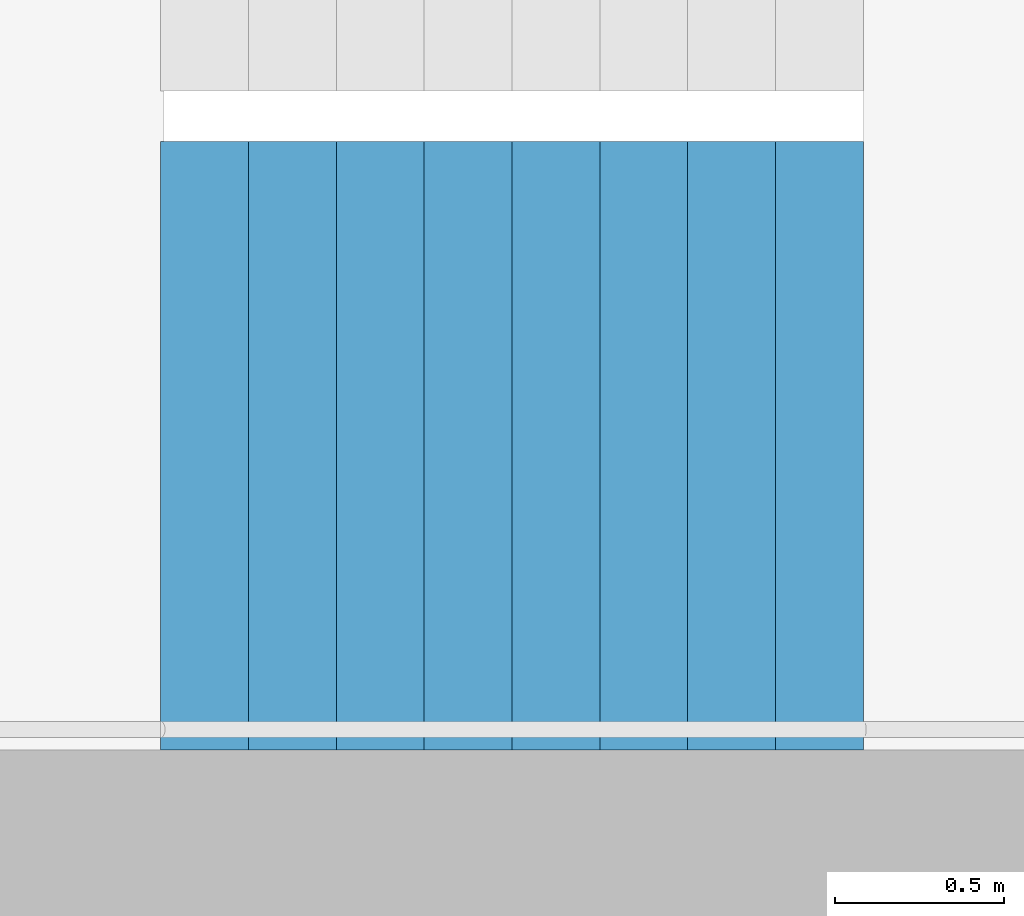
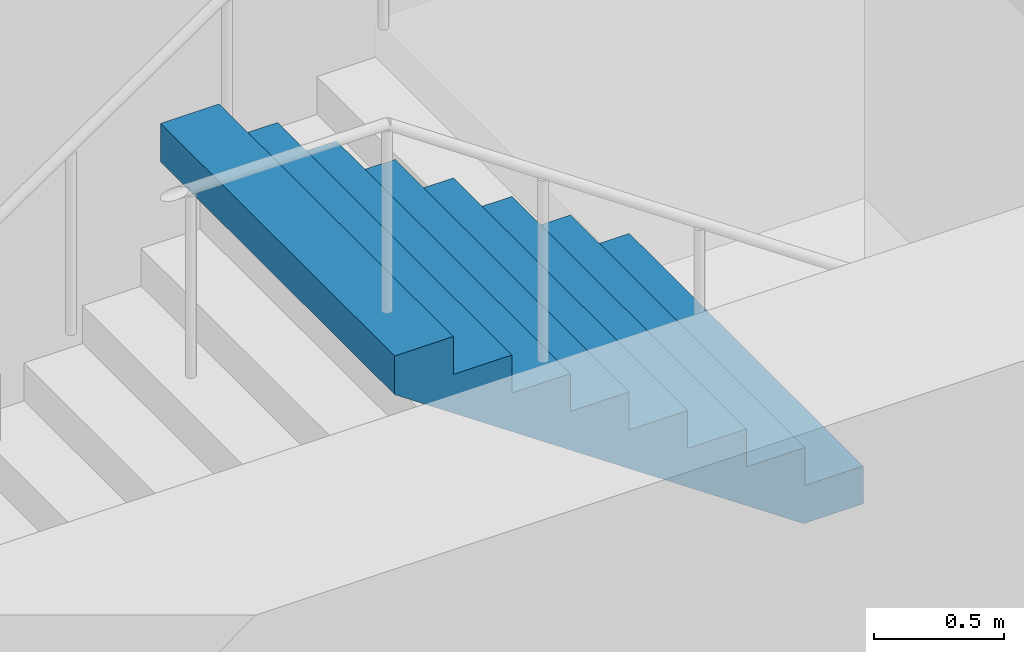
# One storey, part 22 of 26: 1 stair flight, 1 element without a shape of its own.
"""IFC4 building model written with IfcOpenShell, lengths in metres."""

from ifc_helpers import new_model, si_unit, direction, frame, origin, place, context, subcontext, project, spatial, triangles, material, type_object, element, aggregate, save


model = new_model("IFC4")

# Units and contexts
model_context = context("Model", 3, precision=1e-05, world=origin(), true_north=direction((0.0, 1.0)))
body_context = subcontext(model_context, "Body", "Model", "MODEL_VIEW")
ifc_project = project(units=[si_unit("LENGTHUNIT", "METRE"), si_unit("AREAUNIT", "SQUARE_METRE"), si_unit("VOLUMEUNIT", "CUBIC_METRE"), si_unit("PLANEANGLEUNIT", "RADIAN"), si_unit("MASSUNIT", "GRAM", prefix="KILO")], contexts=[model_context])

# Site, building, storey
site_placement = place(None, origin())
site = spatial("IfcSite", under=ifc_project, at=site_placement, CompositionType="ELEMENT")
building_placement = place(site_placement, origin())
building = spatial("IfcBuilding", under=site, at=building_placement, Name="Hakoniwa Tower and Hamabe Station Hall", CompositionType="ELEMENT")
storey_placement = place(building_placement, frame((0.0, 0.0, 131.0)))
storey = spatial("IfcBuildingStorey", under=building, at=storey_placement, Name="L36", CompositionType="ELEMENT", Elevation=131.0)

# Stair, stair flight
ifc_material_1 = material(Name="Concrete C40", Category="concrete")
stair_type = type_object("IfcStairType", Name="ESCAPE STAIR 1800", PredefinedType="HALF_TURN_STAIR", material=ifc_material_1)
stair_placement = place(storey_placement, origin())
stair = element("IfcStair", 1, at=stair_placement, inside=storey, type_object=stair_type, Name="Escape stair ST-4 L36", PredefinedType="HALF_TURN_STAIR")
ifc_material_2 = material(Name="Concrete C40", Category="concrete")
stair_flight_type = type_object("IfcStairFlightType", Name="STAIR FLIGHT 1800", PredefinedType="STRAIGHT", material=ifc_material_2)
stair_flight_placement = place(storey_placement, frame((25.47998046875, -6.60009765625, 1.60009765625), z_axis=(0.0, 0.0, 1.0), x_axis=(-1.0, 0.0, 0.0)))
stair_flight = element("IfcStairFlight", 2, at=stair_flight_placement, type_object=stair_flight_type, Name="ST-4 flight 2", NumberOfRisers=9, NumberOfTreads=8, PredefinedType="STRAIGHT", RiserHeight=0.177777778, TreadLength=0.26, context=body_context, shape_type="Tessellation", body=[
    triangles([(0.0, 0.89990234375, 0.0), (0.260009765625, 0.89990234375, 0.0), (0.265625, 0.89990234375, 0.0), (0.52001953125, 0.89990234375, 0.174072265625), (0.780029296875, 0.89990234375, 0.351806640625), (1.0400390625, 0.89990234375, 0.529541015625), (1.300048828125, 0.89990234375, 0.707275390625), (1.56005859375, 0.89990234375, 0.885009765625), (1.820068359375, 0.89990234375, 1.062744140625), (2.080078125, 0.89990234375, 1.24072265625), (2.080078125, 0.89990234375, 1.422119140625), (1.820068359375, 0.89990234375, 1.422119140625), (1.820068359375, 0.89990234375, 1.244384765625), (1.56005859375, 0.89990234375, 1.244384765625), (1.56005859375, 0.89990234375, 1.066650390625), (1.300048828125, 0.89990234375, 1.066650390625), (1.300048828125, 0.89990234375, 0.888916015625), (1.0400390625, 0.89990234375, 0.888916015625), (1.0400390625, 0.89990234375, 0.711181640625), (0.780029296875, 0.89990234375, 0.711181640625), (0.780029296875, 0.89990234375, 0.533447265625), (0.52001953125, 0.89990234375, 0.533447265625), (0.52001953125, 0.89990234375, 0.35546875), (0.265625, 0.89990234375, 0.35546875), (0.260009765625, 0.89990234375, 0.35546875), (0.260009765625, 0.89990234375, 0.177734375), (0.0, 0.89990234375, 0.177734375), (0.0, 0.06005859375, 0.0), (0.260009765625, 0.06005859375, 0.0), (0.265625, 0.06005859375, 0.0), (0.52001953125, 0.06005859375, 0.174072265625), (0.780029296875, 0.06005859375, 0.351806640625), (1.0400390625, 0.06005859375, 0.529541015625), (1.300048828125, 0.06005859375, 0.707275390625), (1.56005859375, 0.06005859375, 0.885009765625), (1.820068359375, 0.06005859375, 1.062744140625), (2.080078125, 0.06005859375, 1.24072265625), (2.080078125, 0.06005859375, 1.422119140625), (1.820068359375, 0.06005859375, 1.422119140625), (1.820068359375, 0.06005859375, 1.244384765625), (1.56005859375, 0.06005859375, 1.244384765625), (1.56005859375, 0.06005859375, 1.066650390625), (1.300048828125, 0.06005859375, 1.066650390625), (1.300048828125, 0.06005859375, 0.888916015625), (1.0400390625, 0.06005859375, 0.888916015625), (1.0400390625, 0.06005859375, 0.711181640625), (0.780029296875, 0.06005859375, 0.711181640625), (0.780029296875, 0.06005859375, 0.533447265625), (0.52001953125, 0.06005859375, 0.533447265625), (0.52001953125, 0.06005859375, 0.35546875), (0.265625, 0.06005859375, 0.35546875), (0.260009765625, 0.06005859375, 0.35546875), (0.260009765625, 0.06005859375, 0.177734375), (0.0, 0.06005859375, 0.177734375), (0.0, 0.04296875, 0.0), (0.260009765625, 0.04296875, 0.0), (0.265625, 0.04296875, 0.0), (0.52001953125, 0.04296875, 0.174072265625), (0.780029296875, 0.04296875, 0.351806640625), (1.0400390625, 0.04296875, 0.529541015625), (1.300048828125, 0.04296875, 0.707275390625), (1.56005859375, 0.04296875, 0.885009765625), (1.820068359375, 0.04296875, 1.062744140625), (2.080078125, 0.04296875, 1.24072265625), (2.080078125, 0.04296875, 1.422119140625), (1.820068359375, 0.04296875, 1.422119140625), (1.820068359375, 0.04296875, 1.244384765625), (1.56005859375, 0.04296875, 1.244384765625), (1.56005859375, 0.04296875, 1.066650390625), (1.300048828125, 0.04296875, 1.066650390625), (1.300048828125, 0.04296875, 0.888916015625), (1.0400390625, 0.04296875, 0.888916015625), (1.0400390625, 0.04296875, 0.711181640625), (0.780029296875, 0.04296875, 0.711181640625), (0.780029296875, 0.04296875, 0.533447265625), (0.52001953125, 0.04296875, 0.533447265625), (0.52001953125, 0.04296875, 0.35546875), (0.265625, 0.04296875, 0.35546875), (0.260009765625, 0.04296875, 0.35546875), (0.260009765625, 0.04296875, 0.177734375), (0.0, 0.04296875, 0.177734375), (0.0, 0.025634765625, 0.0), (0.260009765625, 0.025634765625, 0.0), (0.265625, 0.025634765625, 0.0), (0.52001953125, 0.025634765625, 0.174072265625), (0.780029296875, 0.025634765625, 0.351806640625), (1.0400390625, 0.025634765625, 0.529541015625), (1.300048828125, 0.025634765625, 0.707275390625), (1.56005859375, 0.025634765625, 0.885009765625), (1.820068359375, 0.025634765625, 1.062744140625), (2.080078125, 0.025634765625, 1.24072265625), (2.080078125, 0.025634765625, 1.422119140625), (1.820068359375, 0.025634765625, 1.422119140625), (1.820068359375, 0.025634765625, 1.244384765625), (1.56005859375, 0.025634765625, 1.244384765625), (1.56005859375, 0.025634765625, 1.066650390625), (1.300048828125, 0.025634765625, 1.066650390625), (1.300048828125, 0.025634765625, 0.888916015625), (1.0400390625, 0.025634765625, 0.888916015625), (1.0400390625, 0.025634765625, 0.711181640625), (0.780029296875, 0.025634765625, 0.711181640625), (0.780029296875, 0.025634765625, 0.533447265625), (0.52001953125, 0.025634765625, 0.533447265625), (0.52001953125, 0.025634765625, 0.35546875), (0.265625, 0.025634765625, 0.35546875), (0.260009765625, 0.025634765625, 0.35546875), (0.260009765625, 0.025634765625, 0.177734375), (0.0, 0.025634765625, 0.177734375), (0.0, 0.008544921875, 0.0), (0.260009765625, 0.008544921875, 0.0), (0.265625, 0.008544921875, 0.0), (0.52001953125, 0.008544921875, 0.174072265625), (0.780029296875, 0.008544921875, 0.351806640625), (1.0400390625, 0.008544921875, 0.529541015625), (1.300048828125, 0.008544921875, 0.707275390625), (1.56005859375, 0.008544921875, 0.885009765625), (1.820068359375, 0.008544921875, 1.062744140625), (2.080078125, 0.008544921875, 1.24072265625), (2.080078125, 0.008544921875, 1.422119140625), (1.820068359375, 0.008544921875, 1.422119140625), (1.820068359375, 0.008544921875, 1.244384765625), (1.56005859375, 0.008544921875, 1.244384765625), (1.56005859375, 0.008544921875, 1.066650390625), (1.300048828125, 0.008544921875, 1.066650390625), (1.300048828125, 0.008544921875, 0.888916015625), (1.0400390625, 0.008544921875, 0.888916015625), (1.0400390625, 0.008544921875, 0.711181640625), (0.780029296875, 0.008544921875, 0.711181640625), (0.780029296875, 0.008544921875, 0.533447265625), (0.52001953125, 0.008544921875, 0.533447265625), (0.52001953125, 0.008544921875, 0.35546875), (0.265625, 0.008544921875, 0.35546875), (0.260009765625, 0.008544921875, 0.35546875), (0.260009765625, 0.008544921875, 0.177734375), (0.0, 0.008544921875, 0.177734375), (0.0, -0.008544921875, 0.0), (0.260009765625, -0.008544921875, 0.0), (0.265625, -0.008544921875, 0.0), (0.52001953125, -0.008544921875, 0.174072265625), (0.780029296875, -0.008544921875, 0.351806640625), (1.0400390625, -0.008544921875, 0.529541015625), (1.300048828125, -0.008544921875, 0.707275390625), (1.56005859375, -0.008544921875, 0.885009765625), (1.820068359375, -0.008544921875, 1.062744140625), (2.080078125, -0.008544921875, 1.24072265625), (2.080078125, -0.008544921875, 1.422119140625), (1.820068359375, -0.008544921875, 1.422119140625), (1.820068359375, -0.008544921875, 1.244384765625), (1.56005859375, -0.008544921875, 1.244384765625), (1.56005859375, -0.008544921875, 1.066650390625), (1.300048828125, -0.008544921875, 1.066650390625), (1.300048828125, -0.008544921875, 0.888916015625), (1.0400390625, -0.008544921875, 0.888916015625), (1.0400390625, -0.008544921875, 0.711181640625), (0.780029296875, -0.008544921875, 0.711181640625), (0.780029296875, -0.008544921875, 0.533447265625), (0.52001953125, -0.008544921875, 0.533447265625), (0.52001953125, -0.008544921875, 0.35546875), (0.265625, -0.008544921875, 0.35546875), (0.260009765625, -0.008544921875, 0.35546875), (0.260009765625, -0.008544921875, 0.177734375), (0.0, -0.008544921875, 0.177734375), (0.0, -0.025634765625, 0.0), (0.260009765625, -0.025634765625, 0.0), (0.265625, -0.025634765625, 0.0), (0.52001953125, -0.025634765625, 0.174072265625), (0.780029296875, -0.025634765625, 0.351806640625), (1.0400390625, -0.025634765625, 0.529541015625), (1.300048828125, -0.025634765625, 0.707275390625), (1.56005859375, -0.025634765625, 0.885009765625), (1.820068359375, -0.025634765625, 1.062744140625), (2.080078125, -0.025634765625, 1.24072265625), (2.080078125, -0.025634765625, 1.422119140625), (1.820068359375, -0.025634765625, 1.422119140625), (1.820068359375, -0.025634765625, 1.244384765625), (1.56005859375, -0.025634765625, 1.244384765625), (1.56005859375, -0.025634765625, 1.066650390625), (1.300048828125, -0.025634765625, 1.066650390625), (1.300048828125, -0.025634765625, 0.888916015625), (1.0400390625, -0.025634765625, 0.888916015625), (1.0400390625, -0.025634765625, 0.711181640625), (0.780029296875, -0.025634765625, 0.711181640625), (0.780029296875, -0.025634765625, 0.533447265625), (0.52001953125, -0.025634765625, 0.533447265625), (0.52001953125, -0.025634765625, 0.35546875), (0.265625, -0.025634765625, 0.35546875), (0.260009765625, -0.025634765625, 0.35546875), (0.260009765625, -0.025634765625, 0.177734375), (0.0, -0.025634765625, 0.177734375), (0.0, -0.04296875, 0.0), (0.260009765625, -0.04296875, 0.0), (0.265625, -0.04296875, 0.0), (0.52001953125, -0.04296875, 0.174072265625), (0.780029296875, -0.04296875, 0.351806640625), (1.0400390625, -0.04296875, 0.529541015625), (1.300048828125, -0.04296875, 0.707275390625), (1.56005859375, -0.04296875, 0.885009765625), (1.820068359375, -0.04296875, 1.062744140625), (2.080078125, -0.04296875, 1.24072265625), (2.080078125, -0.04296875, 1.422119140625), (1.820068359375, -0.04296875, 1.422119140625), (1.820068359375, -0.04296875, 1.244384765625), (1.56005859375, -0.04296875, 1.244384765625), (1.56005859375, -0.04296875, 1.066650390625), (1.300048828125, -0.04296875, 1.066650390625), (1.300048828125, -0.04296875, 0.888916015625), (1.0400390625, -0.04296875, 0.888916015625), (1.0400390625, -0.04296875, 0.711181640625), (0.780029296875, -0.04296875, 0.711181640625), (0.780029296875, -0.04296875, 0.533447265625), (0.52001953125, -0.04296875, 0.533447265625), (0.52001953125, -0.04296875, 0.35546875), (0.265625, -0.04296875, 0.35546875), (0.260009765625, -0.04296875, 0.35546875), (0.260009765625, -0.04296875, 0.177734375), (0.0, -0.04296875, 0.177734375), (0.0, -0.06005859375, 0.0), (0.260009765625, -0.06005859375, 0.0), (0.265625, -0.06005859375, 0.0), (0.52001953125, -0.06005859375, 0.174072265625), (0.780029296875, -0.06005859375, 0.351806640625), (1.0400390625, -0.06005859375, 0.529541015625), (1.300048828125, -0.06005859375, 0.707275390625), (1.56005859375, -0.06005859375, 0.885009765625), (1.820068359375, -0.06005859375, 1.062744140625), (2.080078125, -0.06005859375, 1.24072265625), (2.080078125, -0.06005859375, 1.422119140625), (1.820068359375, -0.06005859375, 1.422119140625), (1.820068359375, -0.06005859375, 1.244384765625), (1.56005859375, -0.06005859375, 1.244384765625), (1.56005859375, -0.06005859375, 1.066650390625), (1.300048828125, -0.06005859375, 1.066650390625), (1.300048828125, -0.06005859375, 0.888916015625), (1.0400390625, -0.06005859375, 0.888916015625), (1.0400390625, -0.06005859375, 0.711181640625), (0.780029296875, -0.06005859375, 0.711181640625), (0.780029296875, -0.06005859375, 0.533447265625), (0.52001953125, -0.06005859375, 0.533447265625), (0.52001953125, -0.06005859375, 0.35546875), (0.265625, -0.06005859375, 0.35546875), (0.260009765625, -0.06005859375, 0.35546875), (0.260009765625, -0.06005859375, 0.177734375), (0.0, -0.06005859375, 0.177734375), (0.0, -0.89990234375, 0.0), (0.260009765625, -0.89990234375, 0.0), (0.265625, -0.89990234375, 0.0), (0.52001953125, -0.89990234375, 0.174072265625), (0.780029296875, -0.89990234375, 0.351806640625), (1.0400390625, -0.89990234375, 0.529541015625), (1.300048828125, -0.89990234375, 0.707275390625), (1.56005859375, -0.89990234375, 0.885009765625), (1.820068359375, -0.89990234375, 1.062744140625), (2.080078125, -0.89990234375, 1.24072265625), (2.080078125, -0.89990234375, 1.422119140625), (1.820068359375, -0.89990234375, 1.422119140625), (1.820068359375, -0.89990234375, 1.244384765625), (1.56005859375, -0.89990234375, 1.244384765625), (1.56005859375, -0.89990234375, 1.066650390625), (1.300048828125, -0.89990234375, 1.066650390625), (1.300048828125, -0.89990234375, 0.888916015625), (1.0400390625, -0.89990234375, 0.888916015625), (1.0400390625, -0.89990234375, 0.711181640625), (0.780029296875, -0.89990234375, 0.711181640625), (0.780029296875, -0.89990234375, 0.533447265625), (0.52001953125, -0.89990234375, 0.533447265625), (0.52001953125, -0.89990234375, 0.35546875), (0.265625, -0.89990234375, 0.35546875), (0.260009765625, -0.89990234375, 0.35546875), (0.260009765625, -0.89990234375, 0.177734375), (0.0, -0.89990234375, 0.177734375)], [[2, 27, 26], [245, 269, 270], [2, 1, 27], [245, 270, 244], [3, 25, 24], [246, 267, 268], [3, 26, 25], [246, 268, 269], [3, 2, 26], [246, 269, 245], [4, 24, 23], [247, 266, 267], [4, 3, 24], [247, 267, 246], [5, 22, 21], [248, 264, 265], [5, 23, 22], [248, 265, 266], [5, 4, 23], [248, 266, 247], [6, 20, 19], [249, 262, 263], [6, 21, 20], [249, 263, 264], [6, 5, 21], [249, 264, 248], [7, 18, 17], [250, 260, 261], [7, 19, 18], [250, 261, 262], [7, 6, 19], [250, 262, 249], [8, 16, 15], [251, 258, 259], [8, 17, 16], [251, 259, 260], [8, 7, 17], [251, 260, 250], [9, 14, 13], [252, 256, 257], [9, 15, 14], [252, 257, 258], [9, 8, 15], [252, 258, 251], [10, 12, 11], [253, 254, 255], [10, 13, 12], [253, 255, 256], [10, 9, 13], [253, 256, 252], [1, 2, 29], [1, 29, 28], [28, 29, 56], [28, 56, 55], [55, 56, 83], [55, 83, 82], [82, 83, 110], [82, 110, 109], [109, 110, 137], [109, 137, 136], [136, 137, 164], [136, 164, 163], [163, 164, 191], [163, 191, 190], [190, 191, 218], [190, 218, 217], [217, 218, 245], [217, 245, 244], [2, 3, 30], [2, 30, 29], [29, 30, 57], [29, 57, 56], [56, 57, 84], [56, 84, 83], [83, 84, 111], [83, 111, 110], [110, 111, 138], [110, 138, 137], [137, 138, 165], [137, 165, 164], [164, 165, 192], [164, 192, 191], [191, 192, 219], [191, 219, 218], [218, 219, 246], [218, 246, 245], [3, 4, 31], [3, 31, 30], [30, 31, 58], [30, 58, 57], [57, 58, 85], [57, 85, 84], [84, 85, 112], [84, 112, 111], [111, 112, 139], [111, 139, 138], [138, 139, 166], [138, 166, 165], [165, 166, 193], [165, 193, 192], [192, 193, 220], [192, 220, 219], [219, 220, 247], [219, 247, 246], [4, 5, 32], [4, 32, 31], [31, 32, 59], [31, 59, 58], [58, 59, 86], [58, 86, 85], [85, 86, 113], [85, 113, 112], [112, 113, 140], [112, 140, 139], [139, 140, 167], [139, 167, 166], [166, 167, 194], [166, 194, 193], [193, 194, 221], [193, 221, 220], [220, 221, 248], [220, 248, 247], [5, 6, 33], [5, 33, 32], [32, 33, 60], [32, 60, 59], [59, 60, 87], [59, 87, 86], [86, 87, 114], [86, 114, 113], [113, 114, 141], [113, 141, 140], [140, 141, 168], [140, 168, 167], [167, 168, 195], [167, 195, 194], [194, 195, 222], [194, 222, 221], [221, 222, 249], [221, 249, 248], [6, 7, 34], [6, 34, 33], [33, 34, 61], [33, 61, 60], [60, 61, 88], [60, 88, 87], [87, 88, 115], [87, 115, 114], [114, 115, 142], [114, 142, 141], [141, 142, 169], [141, 169, 168], [168, 169, 196], [168, 196, 195], [195, 196, 223], [195, 223, 222], [222, 223, 250], [222, 250, 249], [7, 8, 35], [7, 35, 34], [34, 35, 62], [34, 62, 61], [61, 62, 89], [61, 89, 88], [88, 89, 116], [88, 116, 115], [115, 116, 143], [115, 143, 142], [142, 143, 170], [142, 170, 169], [169, 170, 197], [169, 197, 196], [196, 197, 224], [196, 224, 223], [223, 224, 251], [223, 251, 250], [8, 9, 36], [8, 36, 35], [35, 36, 63], [35, 63, 62], [62, 63, 90], [62, 90, 89], [89, 90, 117], [89, 117, 116], [116, 117, 144], [116, 144, 143], [143, 144, 171], [143, 171, 170], [170, 171, 198], [170, 198, 197], [197, 198, 225], [197, 225, 224], [224, 225, 252], [224, 252, 251], [9, 10, 37], [9, 37, 36], [36, 37, 64], [36, 64, 63], [63, 64, 91], [63, 91, 90], [90, 91, 118], [90, 118, 117], [117, 118, 145], [117, 145, 144], [144, 145, 172], [144, 172, 171], [171, 172, 199], [171, 199, 198], [198, 199, 226], [198, 226, 225], [225, 226, 253], [225, 253, 252], [10, 11, 38], [10, 38, 37], [37, 38, 65], [37, 65, 64], [64, 65, 92], [64, 92, 91], [91, 92, 119], [91, 119, 118], [118, 119, 146], [118, 146, 145], [145, 146, 173], [145, 173, 172], [172, 173, 200], [172, 200, 199], [199, 200, 227], [199, 227, 226], [226, 227, 254], [226, 254, 253], [11, 12, 39], [11, 39, 38], [38, 39, 66], [38, 66, 65], [65, 66, 93], [65, 93, 92], [92, 93, 120], [92, 120, 119], [119, 120, 147], [119, 147, 146], [146, 147, 174], [146, 174, 173], [173, 174, 201], [173, 201, 200], [200, 201, 228], [200, 228, 227], [227, 228, 255], [227, 255, 254], [12, 13, 40], [12, 40, 39], [39, 40, 67], [39, 67, 66], [66, 67, 94], [66, 94, 93], [93, 94, 121], [93, 121, 120], [120, 121, 148], [120, 148, 147], [147, 148, 175], [147, 175, 174], [174, 175, 202], [174, 202, 201], [201, 202, 229], [201, 229, 228], [228, 229, 256], [228, 256, 255], [13, 14, 41], [13, 41, 40], [40, 41, 68], [40, 68, 67], [67, 68, 95], [67, 95, 94], [94, 95, 122], [94, 122, 121], [121, 122, 149], [121, 149, 148], [148, 149, 176], [148, 176, 175], [175, 176, 203], [175, 203, 202], [202, 203, 230], [202, 230, 229], [229, 230, 257], [229, 257, 256], [14, 15, 42], [14, 42, 41], [41, 42, 69], [41, 69, 68], [68, 69, 96], [68, 96, 95], [95, 96, 123], [95, 123, 122], [122, 123, 150], [122, 150, 149], [149, 150, 177], [149, 177, 176], [176, 177, 204], [176, 204, 203], [203, 204, 231], [203, 231, 230], [230, 231, 258], [230, 258, 257], [15, 16, 43], [15, 43, 42], [42, 43, 70], [42, 70, 69], [69, 70, 97], [69, 97, 96], [96, 97, 124], [96, 124, 123], [123, 124, 151], [123, 151, 150], [150, 151, 178], [150, 178, 177], [177, 178, 205], [177, 205, 204], [204, 205, 232], [204, 232, 231], [231, 232, 259], [231, 259, 258], [16, 17, 44], [16, 44, 43], [43, 44, 71], [43, 71, 70], [70, 71, 98], [70, 98, 97], [97, 98, 125], [97, 125, 124], [124, 125, 152], [124, 152, 151], [151, 152, 179], [151, 179, 178], [178, 179, 206], [178, 206, 205], [205, 206, 233], [205, 233, 232], [232, 233, 260], [232, 260, 259], [17, 18, 45], [17, 45, 44], [44, 45, 72], [44, 72, 71], [71, 72, 99], [71, 99, 98], [98, 99, 126], [98, 126, 125], [125, 126, 153], [125, 153, 152], [152, 153, 180], [152, 180, 179], [179, 180, 207], [179, 207, 206], [206, 207, 234], [206, 234, 233], [233, 234, 261], [233, 261, 260], [18, 19, 46], [18, 46, 45], [45, 46, 73], [45, 73, 72], [72, 73, 100], [72, 100, 99], [99, 100, 127], [99, 127, 126], [126, 127, 154], [126, 154, 153], [153, 154, 181], [153, 181, 180], [180, 181, 208], [180, 208, 207], [207, 208, 235], [207, 235, 234], [234, 235, 262], [234, 262, 261], [19, 20, 47], [19, 47, 46], [46, 47, 74], [46, 74, 73], [73, 74, 101], [73, 101, 100], [100, 101, 128], [100, 128, 127], [127, 128, 155], [127, 155, 154], [154, 155, 182], [154, 182, 181], [181, 182, 209], [181, 209, 208], [208, 209, 236], [208, 236, 235], [235, 236, 263], [235, 263, 262], [20, 21, 48], [20, 48, 47], [47, 48, 75], [47, 75, 74], [74, 75, 102], [74, 102, 101], [101, 102, 129], [101, 129, 128], [128, 129, 156], [128, 156, 155], [155, 156, 183], [155, 183, 182], [182, 183, 210], [182, 210, 209], [209, 210, 237], [209, 237, 236], [236, 237, 264], [236, 264, 263], [21, 22, 49], [21, 49, 48], [48, 49, 76], [48, 76, 75], [75, 76, 103], [75, 103, 102], [102, 103, 130], [102, 130, 129], [129, 130, 157], [129, 157, 156], [156, 157, 184], [156, 184, 183], [183, 184, 211], [183, 211, 210], [210, 211, 238], [210, 238, 237], [237, 238, 265], [237, 265, 264], [22, 23, 50], [22, 50, 49], [49, 50, 77], [49, 77, 76], [76, 77, 104], [76, 104, 103], [103, 104, 131], [103, 131, 130], [130, 131, 158], [130, 158, 157], [157, 158, 185], [157, 185, 184], [184, 185, 212], [184, 212, 211], [211, 212, 239], [211, 239, 238], [238, 239, 266], [238, 266, 265], [23, 24, 51], [23, 51, 50], [50, 51, 78], [50, 78, 77], [77, 78, 105], [77, 105, 104], [104, 105, 132], [104, 132, 131], [131, 132, 159], [131, 159, 158], [158, 159, 186], [158, 186, 185], [185, 186, 213], [185, 213, 212], [212, 213, 240], [212, 240, 239], [239, 240, 267], [239, 267, 266], [24, 25, 52], [24, 52, 51], [51, 52, 79], [51, 79, 78], [78, 79, 106], [78, 106, 105], [105, 106, 133], [105, 133, 132], [132, 133, 160], [132, 160, 159], [159, 160, 187], [159, 187, 186], [186, 187, 214], [186, 214, 213], [213, 214, 241], [213, 241, 240], [240, 241, 268], [240, 268, 267], [25, 26, 53], [25, 53, 52], [52, 53, 80], [52, 80, 79], [79, 80, 107], [79, 107, 106], [106, 107, 134], [106, 134, 133], [133, 134, 161], [133, 161, 160], [160, 161, 188], [160, 188, 187], [187, 188, 215], [187, 215, 214], [214, 215, 242], [214, 242, 241], [241, 242, 269], [241, 269, 268], [26, 27, 54], [26, 54, 53], [53, 54, 81], [53, 81, 80], [80, 81, 108], [80, 108, 107], [107, 108, 135], [107, 135, 134], [134, 135, 162], [134, 162, 161], [161, 162, 189], [161, 189, 188], [188, 189, 216], [188, 216, 215], [215, 216, 243], [215, 243, 242], [242, 243, 270], [242, 270, 269], [27, 1, 28], [27, 28, 54], [54, 28, 55], [54, 55, 81], [81, 55, 82], [81, 82, 108], [108, 82, 109], [108, 109, 135], [135, 109, 136], [135, 136, 162], [162, 136, 163], [162, 163, 189], [189, 163, 190], [189, 190, 216], [216, 190, 217], [216, 217, 243], [243, 217, 244], [243, 244, 270]], closed=True),
])
aggregate(stair, [stair_flight])

save(model, "model.ifc")
